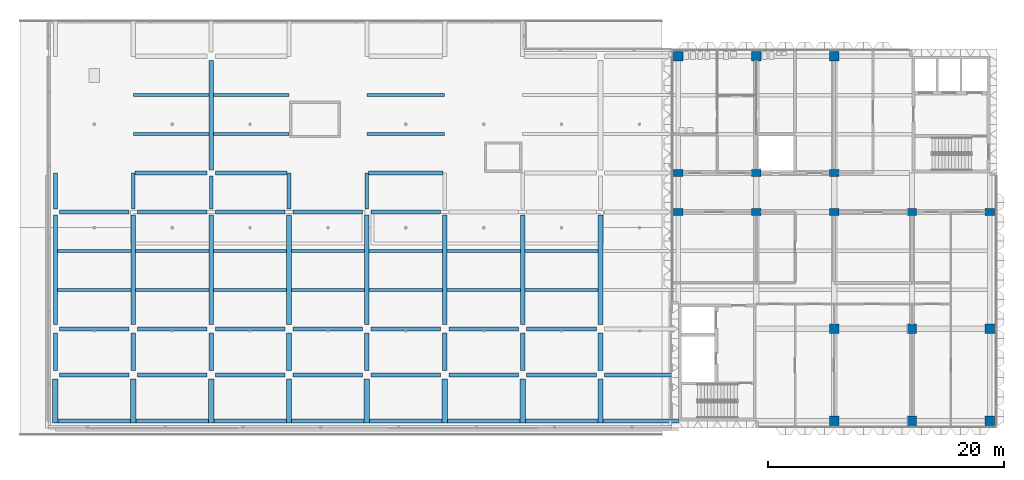
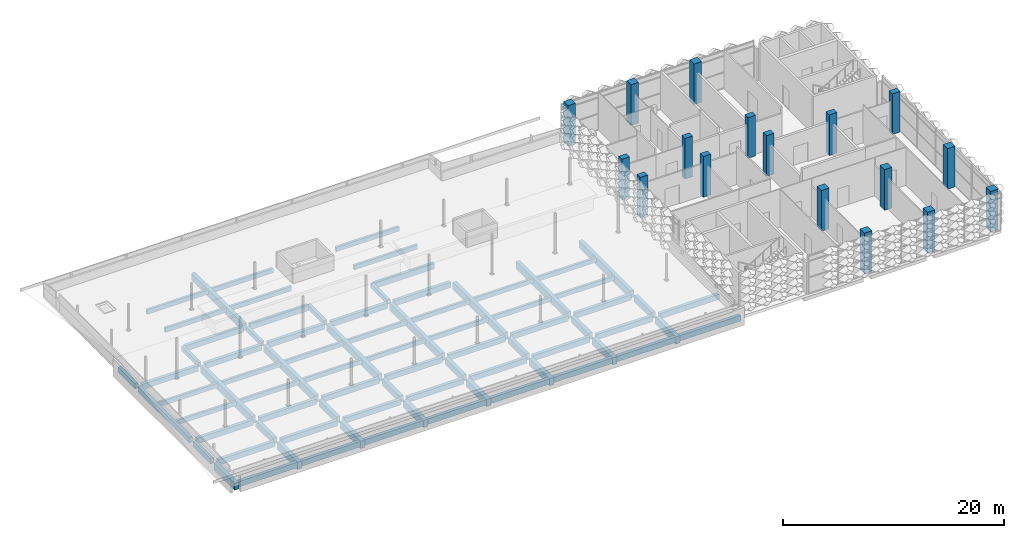
# One storey, part 1 of 39: 81 beams, 17 columns.
"""IFC4 building model written with IfcOpenShell, lengths in metres."""

from ifc_helpers import new_model, si_unit, direction, frame, origin, origin_2d, place, context, subcontext, project, spatial, rectangle, extrude, material, material_profile, profile_set, type_object, element, save


model = new_model("IFC4")

# Units and contexts
model_context = context("Model", 3, precision=1e-05, world=origin(), true_north=direction((0.0, 1.0)))
body_context = subcontext(model_context, "Body", "Model", "MODEL_VIEW")
ifc_project = project(units=[si_unit("LENGTHUNIT", "METRE"), si_unit("AREAUNIT", "SQUARE_METRE"), si_unit("VOLUMEUNIT", "CUBIC_METRE"), si_unit("PLANEANGLEUNIT", "RADIAN"), si_unit("MASSUNIT", "GRAM", prefix="KILO")], contexts=[model_context])

# Site, building, storey
site_placement = place(None, origin())
site = spatial("IfcSite", under=ifc_project, at=site_placement, CompositionType="ELEMENT")
building_placement = place(site_placement, origin())
building = spatial("IfcBuilding", under=site, at=building_placement, Name="Lantern Court Research Institute", CompositionType="ELEMENT")
storey_placement = place(building_placement, frame((0.0, 0.0, 27.89990234375)))
storey = spatial("IfcBuildingStorey", under=building, at=storey_placement, Name="L06", CompositionType="ELEMENT", Elevation=27.89990234375)

# Columns
ifc_material_1 = material(Name="Concrete C40/50", Category="concrete")
ifc_material_profile_1 = material_profile(ifc_material_1, rectangle(XDim=0.800048828125, YDim=0.60009765625, at=origin_2d()), Name="RC column 800 x 600")
ifc_profile_set_1 = profile_set([ifc_material_profile_1], Name="Concrete C40/50")
column_type_1 = type_object("IfcColumnType", Name="RC column 800 x 600", PredefinedType="COLUMN", material=ifc_profile_set_1)
for number, where, z_axis, x_axis, name in (
    (1, (52.800048828125, 9.89990234375, 0.0), (0.0, 0.0, 1.0), (1.0, 0.0, 0.0), "Column L06 grid 9/B"),
    (2, (52.800048828125, 13.199951171875, 0.0), (0.0, 0.0, 1.0), (1.0, 0.0, 0.0), "Column L06 grid 9/C"),
    (3, (59.39990234375, 9.89990234375, 0.0), (0.0, 0.0, 1.0), (1.0, 0.0, 0.0), "Column L06 grid 10/B"),
    (4, (59.39990234375, 13.199951171875, 0.0), (0.0, 0.0, 1.0), (1.0, 0.0, 0.0), "Column L06 grid 10/C"),
    (5, (66.0, 9.89990234375, 0.0), (0.0, 0.0, 1.0), (1.0, 0.0, 0.0), "Column L06 grid 11/B"),
    (6, (66.0, 13.199951171875, 0.0), (0.0, 0.0, 1.0), (1.0, 0.0, 0.0), "Column L06 grid 11/C"),
    (7, (72.60009765625, 9.89990234375, 0.0), (0.0, 0.0, 1.0), (1.0, 0.0, 0.0), "Column L06 grid 12/B"),
    (8, (79.199951171875, 9.89990234375, 0.0), (0.0, 0.0, 1.0), (1.0, 0.0, 0.0), "Column L06 grid 13/B"),
):
    element("IfcColumn", number, at=place(storey_placement, frame(where, z_axis=z_axis, x_axis=x_axis)), inside=storey, type_object=column_type_1, Name=name, PredefinedType="COLUMN", context=body_context, shape_type="SweptSolid", body=[
        extrude(rectangle(XDim=0.800048828125, YDim=0.60009765625, at=origin_2d()), origin(), (0.0, 0.0, 1.0), 4.5),
    ])
ifc_material_2 = material(Name="Concrete C40/50", Category="concrete")
ifc_material_profile_2 = material_profile(ifc_material_2, rectangle(XDim=0.800048828125, YDim=0.800048828125, at=origin_2d()), Name="RC column 800 x 800")
ifc_profile_set_2 = profile_set([ifc_material_profile_2], Name="Concrete C40/50")
column_type_2 = type_object("IfcColumnType", Name="RC column 800 x 800", PredefinedType="COLUMN", material=ifc_profile_set_2)
for number, where, z_axis, x_axis, name in (
    (9, (52.800048828125, 23.10009765625, 0.0), (0.0, 0.0, 1.0), (1.0, 0.0, 0.0), "Column L06 grid 9/D"),
    (10, (59.39990234375, 23.10009765625, 0.0), (0.0, 0.0, 1.0), (1.0, 0.0, 0.0), "Column L06 grid 10/D"),
    (11, (66.0, -7.800048828125, 0.0), (0.0, 0.0, 1.0), (1.0, 0.0, 0.0), "Column L06 grid 11/Z"),
    (12, (66.0, 0.0, 0.0), (0.0, 0.0, 1.0), (1.0, 0.0, 0.0), "Column L06 grid 11/A"),
    (13, (66.0, 23.10009765625, 0.0), (0.0, 0.0, 1.0), (1.0, 0.0, 0.0), "Column L06 grid 11/D"),
    (14, (72.60009765625, -7.800048828125, 0.0), (0.0, 0.0, 1.0), (1.0, 0.0, 0.0), "Column L06 grid 12/Z"),
    (15, (72.60009765625, 0.0, 0.0), (0.0, 0.0, 1.0), (1.0, 0.0, 0.0), "Column L06 grid 12/A"),
    (16, (79.199951171875, -7.800048828125, 0.0), (0.0, 0.0, 1.0), (1.0, 0.0, 0.0), "Column L06 grid 13/Z"),
    (17, (79.199951171875, 0.0, 0.0), (0.0, 0.0, 1.0), (1.0, 0.0, 0.0), "Column L06 grid 13/A"),
):
    element("IfcColumn", number, at=place(storey_placement, frame(where, z_axis=z_axis, x_axis=x_axis)), inside=storey, type_object=column_type_2, Name=name, PredefinedType="COLUMN", context=body_context, shape_type="SweptSolid", body=[
        extrude(rectangle(XDim=0.800048828125, YDim=0.800048828125, at=origin_2d()), origin(), (0.0, 0.0, 1.0), 4.5),
    ])

# Beams
ifc_material_3 = material(Name="Concrete C40/50", Category="concrete")
ifc_material_profile_3 = material_profile(ifc_material_3, rectangle(XDim=0.35009765625, YDim=0.60009765625, at=origin_2d()), Name="RC beam 350 x 600")
ifc_profile_set_3 = profile_set([ifc_material_profile_3], Name="Concrete C40/50")
beam_type_1 = type_object("IfcBeamType", Name="RC beam 350 x 600", PredefinedType="BEAM", material=ifc_profile_set_3)
beam_1_placement = place(storey_placement, frame((0.35009765625, -3.89990234375, -0.5498046875), z_axis=(1.0, 0.0, 0.0), x_axis=(0.0, 1.0, 0.0)))
element("IfcBeam", 18, at=beam_1_placement, inside=storey, type_object=beam_type_1, Name="Beam L06 grid Y/1-2", PredefinedType="BEAM", context=body_context, shape_type="SweptSolid", body=[
    extrude(rectangle(XDim=0.35009765625, YDim=0.60009765625, at=origin_2d()), origin(), (0.0, 0.0, 1.0), 5.89990234375),
])
beam_2_placement = place(storey_placement, frame((6.949951171875, -3.89990234375, -0.5498046875), z_axis=(1.0, 0.0, 0.0), x_axis=(0.0, 1.0, 0.0)))
element("IfcBeam", 19, at=beam_2_placement, inside=storey, type_object=beam_type_1, Name="Beam L06 grid Y/2-3", PredefinedType="BEAM", context=body_context, shape_type="SweptSolid", body=[
    extrude(rectangle(XDim=0.35009765625, YDim=0.60009765625, at=origin_2d()), origin(), (0.0, 0.0, 1.0), 5.900146484375),
])
beam_3_placement = place(storey_placement, frame((13.550048828125, -3.89990234375, -0.5498046875), z_axis=(1.0, 0.0, 0.0), x_axis=(0.0, 1.0, 0.0)))
element("IfcBeam", 20, at=beam_3_placement, inside=storey, type_object=beam_type_1, Name="Beam L06 grid Y/3-4", PredefinedType="BEAM", context=body_context, shape_type="SweptSolid", body=[
    extrude(rectangle(XDim=0.35009765625, YDim=0.60009765625, at=origin_2d()), origin(), (0.0, 0.0, 1.0), 5.89990234375),
])
beam_4_placement = place(storey_placement, frame((20.14990234375, -3.89990234375, -0.5498046875), z_axis=(1.0, 0.0, 0.0), x_axis=(0.0, 1.0, 0.0)))
element("IfcBeam", 21, at=beam_4_placement, inside=storey, type_object=beam_type_1, Name="Beam L06 grid Y/4-5", PredefinedType="BEAM", context=body_context, shape_type="SweptSolid", body=[
    extrude(rectangle(XDim=0.35009765625, YDim=0.60009765625, at=origin_2d()), origin(), (0.0, 0.0, 1.0), 5.900146484375),
])
for number, where, z_axis, x_axis, name in (
    (22, (26.75, -3.89990234375, -0.5498046875), (1.0, 0.0, 0.0), (0.0, 1.0, 0.0), "Beam L06 grid Y/5-6"),
    (23, (33.35009765625, -3.89990234375, -0.5498046875), (1.0, 0.0, 0.0), (0.0, 1.0, 0.0), "Beam L06 grid Y/6-7"),
):
    element("IfcBeam", number, at=place(storey_placement, frame(where, z_axis=z_axis, x_axis=x_axis)), inside=storey, type_object=beam_type_1, Name=name, PredefinedType="BEAM", context=body_context, shape_type="SweptSolid", body=[
        extrude(rectangle(XDim=0.35009765625, YDim=0.60009765625, at=origin_2d()), origin(), (0.0, 0.0, 1.0), 5.89990234375),
    ])
beam_5_placement = place(storey_placement, frame((39.949951171875, -3.89990234375, -0.5498046875), z_axis=(1.0, 0.0, 0.0), x_axis=(0.0, 1.0, 0.0)))
element("IfcBeam", 24, at=beam_5_placement, inside=storey, type_object=beam_type_1, Name="Beam L06 grid Y/7-8", PredefinedType="BEAM", context=body_context, shape_type="SweptSolid", body=[
    extrude(rectangle(XDim=0.35009765625, YDim=0.60009765625, at=origin_2d()), origin(), (0.0, 0.0, 1.0), 5.900146484375),
])
beam_6_placement = place(storey_placement, frame((46.550048828125, -3.89990234375, -0.5498046875), z_axis=(1.0, 0.0, 0.0), x_axis=(0.0, 1.0, 0.0)))
element("IfcBeam", 25, at=beam_6_placement, inside=storey, type_object=beam_type_1, Name="Beam L06 grid Y/8-9", PredefinedType="BEAM", context=body_context, shape_type="SweptSolid", body=[
    extrude(rectangle(XDim=0.35009765625, YDim=0.60009765625, at=origin_2d()), origin(), (0.0, 0.0, 1.0), 6.25),
])
beam_7_placement = place(storey_placement, frame((0.35009765625, 0.0, -0.5498046875), z_axis=(1.0, 0.0, 0.0), x_axis=(0.0, 1.0, 0.0)))
element("IfcBeam", 26, at=beam_7_placement, inside=storey, type_object=beam_type_1, Name="Beam L06 grid A/1-2", PredefinedType="BEAM", context=body_context, shape_type="SweptSolid", body=[
    extrude(rectangle(XDim=0.35009765625, YDim=0.60009765625, at=origin_2d()), origin(), (0.0, 0.0, 1.0), 5.89990234375),
])
beam_8_placement = place(storey_placement, frame((6.949951171875, 0.0, -0.5498046875), z_axis=(1.0, 0.0, 0.0), x_axis=(0.0, 1.0, 0.0)))
element("IfcBeam", 27, at=beam_8_placement, inside=storey, type_object=beam_type_1, Name="Beam L06 grid A/2-3", PredefinedType="BEAM", context=body_context, shape_type="SweptSolid", body=[
    extrude(rectangle(XDim=0.35009765625, YDim=0.60009765625, at=origin_2d()), origin(), (0.0, 0.0, 1.0), 5.900146484375),
])
beam_9_placement = place(storey_placement, frame((13.550048828125, 0.0, -0.5498046875), z_axis=(1.0, 0.0, 0.0), x_axis=(0.0, 1.0, 0.0)))
element("IfcBeam", 28, at=beam_9_placement, inside=storey, type_object=beam_type_1, Name="Beam L06 grid A/3-4", PredefinedType="BEAM", context=body_context, shape_type="SweptSolid", body=[
    extrude(rectangle(XDim=0.35009765625, YDim=0.60009765625, at=origin_2d()), origin(), (0.0, 0.0, 1.0), 5.89990234375),
])
beam_10_placement = place(storey_placement, frame((20.14990234375, 0.0, -0.5498046875), z_axis=(1.0, 0.0, 0.0), x_axis=(0.0, 1.0, 0.0)))
element("IfcBeam", 29, at=beam_10_placement, inside=storey, type_object=beam_type_1, Name="Beam L06 grid A/4-5", PredefinedType="BEAM", context=body_context, shape_type="SweptSolid", body=[
    extrude(rectangle(XDim=0.35009765625, YDim=0.60009765625, at=origin_2d()), origin(), (0.0, 0.0, 1.0), 5.900146484375),
])
for number, where, z_axis, x_axis, name in (
    (30, (26.75, 0.0, -0.5498046875), (1.0, 0.0, 0.0), (0.0, 1.0, 0.0), "Beam L06 grid A/5-6"),
    (31, (33.35009765625, 0.0, -0.5498046875), (1.0, 0.0, 0.0), (0.0, 1.0, 0.0), "Beam L06 grid A/6-7"),
):
    element("IfcBeam", number, at=place(storey_placement, frame(where, z_axis=z_axis, x_axis=x_axis)), inside=storey, type_object=beam_type_1, Name=name, PredefinedType="BEAM", context=body_context, shape_type="SweptSolid", body=[
        extrude(rectangle(XDim=0.35009765625, YDim=0.60009765625, at=origin_2d()), origin(), (0.0, 0.0, 1.0), 5.89990234375),
    ])
beam_11_placement = place(storey_placement, frame((39.949951171875, 0.0, -0.5498046875), z_axis=(1.0, 0.0, 0.0), x_axis=(0.0, 1.0, 0.0)))
element("IfcBeam", 32, at=beam_11_placement, inside=storey, type_object=beam_type_1, Name="Beam L06 grid A/7-8", PredefinedType="BEAM", context=body_context, shape_type="SweptSolid", body=[
    extrude(rectangle(XDim=0.35009765625, YDim=0.60009765625, at=origin_2d()), origin(), (0.0, 0.0, 1.0), 5.900146484375),
])
beam_12_placement = place(storey_placement, frame((0.35009765625, 9.89990234375, -0.5498046875), z_axis=(1.0, 0.0, 0.0), x_axis=(0.0, 1.0, 0.0)))
element("IfcBeam", 33, at=beam_12_placement, inside=storey, type_object=beam_type_1, Name="Beam L06 grid B/1-2", PredefinedType="BEAM", context=body_context, shape_type="SweptSolid", body=[
    extrude(rectangle(XDim=0.35009765625, YDim=0.60009765625, at=origin_2d()), origin(), (0.0, 0.0, 1.0), 5.89990234375),
])
beam_13_placement = place(storey_placement, frame((6.949951171875, 9.89990234375, -0.5498046875), z_axis=(1.0, 0.0, 0.0), x_axis=(0.0, 1.0, 0.0)))
element("IfcBeam", 34, at=beam_13_placement, inside=storey, type_object=beam_type_1, Name="Beam L06 grid B/2-3", PredefinedType="BEAM", context=body_context, shape_type="SweptSolid", body=[
    extrude(rectangle(XDim=0.35009765625, YDim=0.60009765625, at=origin_2d()), origin(), (0.0, 0.0, 1.0), 5.900146484375),
])
beam_14_placement = place(storey_placement, frame((13.550048828125, 9.89990234375, -0.5498046875), z_axis=(1.0, 0.0, 0.0), x_axis=(0.0, 1.0, 0.0)))
element("IfcBeam", 35, at=beam_14_placement, inside=storey, type_object=beam_type_1, Name="Beam L06 grid B/3-4", PredefinedType="BEAM", context=body_context, shape_type="SweptSolid", body=[
    extrude(rectangle(XDim=0.35009765625, YDim=0.60009765625, at=origin_2d()), origin(), (0.0, 0.0, 1.0), 5.89990234375),
])
beam_15_placement = place(storey_placement, frame((20.14990234375, 9.89990234375, -0.5498046875), z_axis=(1.0, 0.0, 0.0), x_axis=(0.0, 1.0, 0.0)))
element("IfcBeam", 36, at=beam_15_placement, inside=storey, type_object=beam_type_1, Name="Beam L06 grid B/4-5", PredefinedType="BEAM", context=body_context, shape_type="SweptSolid", body=[
    extrude(rectangle(XDim=0.35009765625, YDim=0.60009765625, at=origin_2d()), origin(), (0.0, 0.0, 1.0), 5.900146484375),
])
beam_16_placement = place(storey_placement, frame((26.75, 9.89990234375, -0.5498046875), z_axis=(1.0, 0.0, 0.0), x_axis=(0.0, 1.0, 0.0)))
element("IfcBeam", 37, at=beam_16_placement, inside=storey, type_object=beam_type_1, Name="Beam L06 grid B/5-6", PredefinedType="BEAM", context=body_context, shape_type="SweptSolid", body=[
    extrude(rectangle(XDim=0.35009765625, YDim=0.60009765625, at=origin_2d()), origin(), (0.0, 0.0, 1.0), 5.89990234375),
])
beam_17_placement = place(storey_placement, frame((6.75, 13.199951171875, -0.5498046875), z_axis=(1.0, 0.0, 0.0), x_axis=(0.0, 1.0, 0.0)))
element("IfcBeam", 38, at=beam_17_placement, inside=storey, type_object=beam_type_1, Name="Beam L06 grid C/2-3", PredefinedType="BEAM", context=body_context, shape_type="SweptSolid", body=[
    extrude(rectangle(XDim=0.35009765625, YDim=0.60009765625, at=origin_2d()), origin(), (0.0, 0.0, 1.0), 6.10009765625),
])
beam_18_placement = place(storey_placement, frame((13.550048828125, 13.199951171875, -0.5498046875), z_axis=(1.0, 0.0, 0.0), x_axis=(0.0, 1.0, 0.0)))
element("IfcBeam", 39, at=beam_18_placement, inside=storey, type_object=beam_type_1, Name="Beam L06 grid C/3-4", PredefinedType="BEAM", context=body_context, shape_type="SweptSolid", body=[
    extrude(rectangle(XDim=0.35009765625, YDim=0.60009765625, at=origin_2d()), origin(), (0.0, 0.0, 1.0), 6.099853515625),
])
beam_19_placement = place(storey_placement, frame((26.550048828125, 13.199951171875, -0.5498046875), z_axis=(1.0, 0.0, 0.0), x_axis=(0.0, 1.0, 0.0)))
element("IfcBeam", 40, at=beam_19_placement, inside=storey, type_object=beam_type_1, Name="Beam L06 grid C/5-6", PredefinedType="BEAM", context=body_context, shape_type="SweptSolid", body=[
    extrude(rectangle(XDim=0.35009765625, YDim=0.60009765625, at=origin_2d()), origin(), (0.0, 0.0, 1.0), 6.300048828125),
])
ifc_material_4 = material(Name="Concrete C40/50", Category="concrete")
ifc_material_profile_4 = material_profile(ifc_material_4, rectangle(XDim=0.449951171875, YDim=0.800048828125, at=origin_2d()), Name="RC beam 450 x 800")
ifc_profile_set_4 = profile_set([ifc_material_profile_4], Name="Concrete C40/50")
beam_type_2 = type_object("IfcBeamType", Name="RC cantilever beam 450 x 800", PredefinedType="BEAM", material=ifc_profile_set_4)
for number, where, z_axis, x_axis, name in (
    (41, (0.0, -4.25, -0.64990234375), (0.0, -1.0, 0.0), (1.0, 0.0, 0.0), "Cantilever beam L06 grid 1/Y-tip"),
    (42, (6.60009765625, -4.25, -0.64990234375), (0.0, -1.0, 0.0), (1.0, 0.0, 0.0), "Cantilever beam L06 grid 2/Y-tip"),
    (43, (13.199951171875, -4.25, -0.64990234375), (0.0, -1.0, 0.0), (1.0, 0.0, 0.0), "Cantilever beam L06 grid 3/Y-tip"),
    (44, (19.800048828125, -4.25, -0.64990234375), (0.0, -1.0, 0.0), (1.0, 0.0, 0.0), "Cantilever beam L06 grid 4/Y-tip"),
    (45, (26.39990234375, -4.25, -0.64990234375), (0.0, -1.0, 0.0), (1.0, 0.0, 0.0), "Cantilever beam L06 grid 5/Y-tip"),
    (46, (33.0, -4.25, -0.64990234375), (0.0, -1.0, 0.0), (1.0, 0.0, 0.0), "Cantilever beam L06 grid 6/Y-tip"),
    (47, (39.60009765625, -4.25, -0.64990234375), (0.0, -1.0, 0.0), (1.0, 0.0, 0.0), "Cantilever beam L06 grid 7/Y-tip"),
    (48, (46.199951171875, -4.25, -0.64990234375), (0.0, -1.0, 0.0), (1.0, 0.0, 0.0), "Cantilever beam L06 grid 8/Y-tip"),
):
    element("IfcBeam", number, at=place(storey_placement, frame(where, z_axis=z_axis, x_axis=x_axis)), inside=storey, type_object=beam_type_2, Name=name, PredefinedType="BEAM", context=body_context, shape_type="SweptSolid", body=[
        extrude(rectangle(XDim=0.449951171875, YDim=0.800048828125, at=origin_2d()), origin(), (0.0, 0.0, 1.0), 3.72509765625),
    ])
ifc_material_5 = material(Name="Concrete C40/50", Category="concrete")
ifc_material_profile_5 = material_profile(ifc_material_5, rectangle(XDim=0.35009765625, YDim=0.60009765625, at=origin_2d()), Name="RC beam 350 x 600")
ifc_profile_set_5 = profile_set([ifc_material_profile_5], Name="Concrete C40/50")
beam_type_3 = type_object("IfcBeamType", Name="RC edge beam 350 x 600", PredefinedType="BEAM", material=ifc_profile_set_5)
beam_20_placement = place(storey_placement, frame((0.0, -3.550048828125, -0.5498046875), z_axis=(0.0, 1.0, 0.0), x_axis=(-1.0, 0.0, 0.0)))
element("IfcBeam", 49, at=beam_20_placement, inside=storey, type_object=beam_type_3, Name="Edge beam L06 grid 1/Y-A", PredefinedType="BEAM", context=body_context, shape_type="SweptSolid", body=[
    extrude(rectangle(XDim=0.35009765625, YDim=0.60009765625, at=origin_2d()), origin(), (0.0, 0.0, 1.0), 3.199951171875),
])
beam_21_placement = place(storey_placement, frame((0.0, 0.35009765625, -0.5498046875), z_axis=(0.0, 1.0, 0.0), x_axis=(-1.0, 0.0, 0.0)))
element("IfcBeam", 50, at=beam_21_placement, inside=storey, type_object=beam_type_3, Name="Edge beam L06 grid 1/A-B", PredefinedType="BEAM", context=body_context, shape_type="SweptSolid", body=[
    extrude(rectangle(XDim=0.35009765625, YDim=0.60009765625, at=origin_2d()), origin(), (0.0, 0.0, 1.0), 9.2998046875),
])
beam_22_placement = place(storey_placement, frame((0.0, 10.14990234375, -0.5498046875), z_axis=(0.0, 1.0, 0.0), x_axis=(-1.0, 0.0, 0.0)))
element("IfcBeam", 51, at=beam_22_placement, inside=storey, type_object=beam_type_3, Name="Edge beam L06 grid 1/B-C", PredefinedType="BEAM", context=body_context, shape_type="SweptSolid", body=[
    extrude(rectangle(XDim=0.35009765625, YDim=0.60009765625, at=origin_2d()), origin(), (0.0, 0.0, 1.0), 3.050048828125),
])
beam_23_placement = place(storey_placement, frame((0.22509765625, -7.800048828125, -0.5498046875), z_axis=(1.0, 0.0, 0.0), x_axis=(0.0, 1.0, 0.0)))
element("IfcBeam", 52, at=beam_23_placement, inside=storey, type_object=beam_type_3, Name="Edge beam L06 grid tip/1-2", PredefinedType="BEAM", context=body_context, shape_type="SweptSolid", body=[
    extrude(rectangle(XDim=0.35009765625, YDim=0.60009765625, at=origin_2d()), origin(), (0.0, 0.0, 1.0), 6.14990234375),
])
beam_24_placement = place(storey_placement, frame((6.824951171875, -7.800048828125, -0.5498046875), z_axis=(1.0, 0.0, 0.0), x_axis=(0.0, 1.0, 0.0)))
element("IfcBeam", 53, at=beam_24_placement, inside=storey, type_object=beam_type_3, Name="Edge beam L06 grid tip/2-3", PredefinedType="BEAM", context=body_context, shape_type="SweptSolid", body=[
    extrude(rectangle(XDim=0.35009765625, YDim=0.60009765625, at=origin_2d()), origin(), (0.0, 0.0, 1.0), 6.150146484375),
])
beam_25_placement = place(storey_placement, frame((13.425048828125, -7.800048828125, -0.5498046875), z_axis=(1.0, 0.0, 0.0), x_axis=(0.0, 1.0, 0.0)))
element("IfcBeam", 54, at=beam_25_placement, inside=storey, type_object=beam_type_3, Name="Edge beam L06 grid tip/3-4", PredefinedType="BEAM", context=body_context, shape_type="SweptSolid", body=[
    extrude(rectangle(XDim=0.35009765625, YDim=0.60009765625, at=origin_2d()), origin(), (0.0, 0.0, 1.0), 6.14990234375),
])
beam_26_placement = place(storey_placement, frame((20.02490234375, -7.800048828125, -0.5498046875), z_axis=(1.0, 0.0, 0.0), x_axis=(0.0, 1.0, 0.0)))
element("IfcBeam", 55, at=beam_26_placement, inside=storey, type_object=beam_type_3, Name="Edge beam L06 grid tip/4-5", PredefinedType="BEAM", context=body_context, shape_type="SweptSolid", body=[
    extrude(rectangle(XDim=0.35009765625, YDim=0.60009765625, at=origin_2d()), origin(), (0.0, 0.0, 1.0), 6.150146484375),
])
for number, where, z_axis, x_axis, name in (
    (56, (26.625, -7.800048828125, -0.5498046875), (1.0, 0.0, 0.0), (0.0, 1.0, 0.0), "Edge beam L06 grid tip/5-6"),
    (57, (33.22509765625, -7.800048828125, -0.5498046875), (1.0, 0.0, 0.0), (0.0, 1.0, 0.0), "Edge beam L06 grid tip/6-7"),
):
    element("IfcBeam", number, at=place(storey_placement, frame(where, z_axis=z_axis, x_axis=x_axis)), inside=storey, type_object=beam_type_3, Name=name, PredefinedType="BEAM", context=body_context, shape_type="SweptSolid", body=[
        extrude(rectangle(XDim=0.35009765625, YDim=0.60009765625, at=origin_2d()), origin(), (0.0, 0.0, 1.0), 6.14990234375),
    ])
beam_27_placement = place(storey_placement, frame((39.824951171875, -7.800048828125, -0.5498046875), z_axis=(1.0, 0.0, 0.0), x_axis=(0.0, 1.0, 0.0)))
element("IfcBeam", 58, at=beam_27_placement, inside=storey, type_object=beam_type_3, Name="Edge beam L06 grid tip/7-8", PredefinedType="BEAM", context=body_context, shape_type="SweptSolid", body=[
    extrude(rectangle(XDim=0.35009765625, YDim=0.60009765625, at=origin_2d()), origin(), (0.0, 0.0, 1.0), 6.150146484375),
])
beam_28_placement = place(storey_placement, frame((46.425048828125, -7.800048828125, -0.5498046875), z_axis=(1.0, 0.0, 0.0), x_axis=(0.0, 1.0, 0.0)))
element("IfcBeam", 59, at=beam_28_placement, inside=storey, type_object=beam_type_3, Name="Edge beam L06 grid tip/8-9", PredefinedType="BEAM", context=body_context, shape_type="SweptSolid", body=[
    extrude(rectangle(XDim=0.35009765625, YDim=0.60009765625, at=origin_2d()), origin(), (0.0, 0.0, 1.0), 6.375),
])
ifc_material_6 = material(Name="Concrete C40/50", Category="concrete")
ifc_material_profile_6 = material_profile(ifc_material_6, rectangle(XDim=0.39990234375, YDim=0.699951171875, at=origin_2d()), Name="RC beam 400 x 700")
ifc_profile_set_6 = profile_set([ifc_material_profile_6], Name="Concrete C40/50")
beam_type_4 = type_object("IfcBeamType", Name="RC girder 400 x 700", PredefinedType="BEAM", material=ifc_profile_set_6)
for number, where, z_axis, x_axis, name in (
    (60, (6.60009765625, -3.550048828125, -0.599853515625), (0.0, 1.0, 0.0), (-1.0, 0.0, 0.0), "Girder L06 grid 2/Y-A"),
    (61, (13.199951171875, -3.550048828125, -0.599853515625), (0.0, 1.0, 0.0), (-1.0, 0.0, 0.0), "Girder L06 grid 3/Y-A"),
    (62, (19.800048828125, -3.550048828125, -0.599853515625), (0.0, 1.0, 0.0), (-1.0, 0.0, 0.0), "Girder L06 grid 4/Y-A"),
    (63, (26.39990234375, -3.550048828125, -0.599853515625), (0.0, 1.0, 0.0), (-1.0, 0.0, 0.0), "Girder L06 grid 5/Y-A"),
    (64, (33.0, -3.550048828125, -0.599853515625), (0.0, 1.0, 0.0), (-1.0, 0.0, 0.0), "Girder L06 grid 6/Y-A"),
    (65, (39.60009765625, -3.550048828125, -0.599853515625), (0.0, 1.0, 0.0), (-1.0, 0.0, 0.0), "Girder L06 grid 7/Y-A"),
    (66, (46.199951171875, -3.550048828125, -0.599853515625), (0.0, 1.0, 0.0), (-1.0, 0.0, 0.0), "Girder L06 grid 8/Y-A"),
):
    element("IfcBeam", number, at=place(storey_placement, frame(where, z_axis=z_axis, x_axis=x_axis)), inside=storey, type_object=beam_type_4, Name=name, PredefinedType="BEAM", context=body_context, shape_type="SweptSolid", body=[
        extrude(rectangle(XDim=0.39990234375, YDim=0.699951171875, at=origin_2d()), origin(), (0.0, 0.0, 1.0), 3.199951171875),
    ])
ifc_material_7 = material(Name="Concrete C40/50", Category="concrete")
ifc_material_profile_7 = material_profile(ifc_material_7, rectangle(XDim=0.39990234375, YDim=0.800048828125, at=origin_2d()), Name="RC beam 400 x 800")
ifc_profile_set_7 = profile_set([ifc_material_profile_7], Name="Concrete C40/50")
beam_type_5 = type_object("IfcBeamType", Name="RC girder 400 x 800", PredefinedType="BEAM", material=ifc_profile_set_7)
for number, where, z_axis, x_axis, name in (
    (67, (6.60009765625, 0.35009765625, -0.64990234375), (0.0, 1.0, 0.0), (-1.0, 0.0, 0.0), "Girder L06 grid 2/A-B"),
    (68, (13.199951171875, 0.35009765625, -0.64990234375), (0.0, 1.0, 0.0), (-1.0, 0.0, 0.0), "Girder L06 grid 3/A-B"),
):
    element("IfcBeam", number, at=place(storey_placement, frame(where, z_axis=z_axis, x_axis=x_axis)), inside=storey, type_object=beam_type_5, Name=name, PredefinedType="BEAM", context=body_context, shape_type="SweptSolid", body=[
        extrude(rectangle(XDim=0.39990234375, YDim=0.800048828125, at=origin_2d()), origin(), (0.0, 0.0, 1.0), 9.2998046875),
    ])
beam_29_placement = place(storey_placement, frame((13.199951171875, 13.449951171875, -0.64990234375), z_axis=(0.0, 1.0, 0.0), x_axis=(-1.0, 0.0, 0.0)))
element("IfcBeam", 69, at=beam_29_placement, inside=storey, type_object=beam_type_5, Name="Girder L06 grid 3/C-D", PredefinedType="BEAM", context=body_context, shape_type="SweptSolid", body=[
    extrude(rectangle(XDim=0.39990234375, YDim=0.800048828125, at=origin_2d()), origin(), (0.0, 0.0, 1.0), 9.300048828125),
])
for number, where, z_axis, x_axis, name in (
    (70, (19.800048828125, 0.35009765625, -0.64990234375), (0.0, 1.0, 0.0), (-1.0, 0.0, 0.0), "Girder L06 grid 4/A-B"),
    (71, (26.39990234375, 0.35009765625, -0.64990234375), (0.0, 1.0, 0.0), (-1.0, 0.0, 0.0), "Girder L06 grid 5/A-B"),
    (72, (33.0, 0.35009765625, -0.64990234375), (0.0, 1.0, 0.0), (-1.0, 0.0, 0.0), "Girder L06 grid 6/A-B"),
    (73, (39.60009765625, 0.35009765625, -0.64990234375), (0.0, 1.0, 0.0), (-1.0, 0.0, 0.0), "Girder L06 grid 7/A-B"),
    (74, (46.199951171875, 0.35009765625, -0.64990234375), (0.0, 1.0, 0.0), (-1.0, 0.0, 0.0), "Girder L06 grid 8/A-B"),
):
    element("IfcBeam", number, at=place(storey_placement, frame(where, z_axis=z_axis, x_axis=x_axis)), inside=storey, type_object=beam_type_5, Name=name, PredefinedType="BEAM", context=body_context, shape_type="SweptSolid", body=[
        extrude(rectangle(XDim=0.39990234375, YDim=0.800048828125, at=origin_2d()), origin(), (0.0, 0.0, 1.0), 9.2998046875),
    ])
ifc_material_8 = material(Name="Concrete C40/50", Category="concrete")
ifc_material_profile_8 = material_profile(ifc_material_8, rectangle(XDim=0.25, YDim=0.5, at=origin_2d()), Name="RC beam 250 x 500")
ifc_profile_set_8 = profile_set([ifc_material_profile_8], Name="Concrete C40/50")
beam_type_6 = type_object("IfcBeamType", Name="RC secondary beam 250 x 500", PredefinedType="BEAM", material=ifc_profile_set_8)
beam_30_placement = place(storey_placement, frame((0.175048828125, 3.300048828125, -0.5), z_axis=(1.0, 0.0, 0.0), x_axis=(0.0, 1.0, 0.0)))
element("IfcBeam", 75, at=beam_30_placement, inside=storey, type_object=beam_type_6, Name="Secondary beam L06 grids 1-2 / A-B, line 1", PredefinedType="BEAM", context=body_context, shape_type="SweptSolid", body=[
    extrude(rectangle(XDim=0.25, YDim=0.5, at=origin_2d()), origin(), (0.0, 0.0, 1.0), 6.224853515625),
])
beam_31_placement = place(storey_placement, frame((6.800048828125, 3.300048828125, -0.5), z_axis=(1.0, 0.0, 0.0), x_axis=(0.0, 1.0, 0.0)))
element("IfcBeam", 76, at=beam_31_placement, inside=storey, type_object=beam_type_6, Name="Secondary beam L06 grids 2-3 / A-B, line 1", PredefinedType="BEAM", context=body_context, shape_type="SweptSolid", body=[
    extrude(rectangle(XDim=0.25, YDim=0.5, at=origin_2d()), origin(), (0.0, 0.0, 1.0), 6.199951171875),
])
beam_32_placement = place(storey_placement, frame((13.39990234375, 3.300048828125, -0.5), z_axis=(1.0, 0.0, 0.0), x_axis=(0.0, 1.0, 0.0)))
element("IfcBeam", 77, at=beam_32_placement, inside=storey, type_object=beam_type_6, Name="Secondary beam L06 grids 3-4 / A-B, line 1", PredefinedType="BEAM", context=body_context, shape_type="SweptSolid", body=[
    extrude(rectangle(XDim=0.25, YDim=0.5, at=origin_2d()), origin(), (0.0, 0.0, 1.0), 6.2001953125),
])
for number, where, z_axis, x_axis, name in (
    (78, (20.0, 3.300048828125, -0.5), (1.0, 0.0, 0.0), (0.0, 1.0, 0.0), "Secondary beam L06 grids 4-5 / A-B, line 1"),
    (79, (26.60009765625, 3.300048828125, -0.5), (1.0, 0.0, 0.0), (0.0, 1.0, 0.0), "Secondary beam L06 grids 5-6 / A-B, line 1"),
    (80, (33.199951171875, 3.300048828125, -0.5), (1.0, 0.0, 0.0), (0.0, 1.0, 0.0), "Secondary beam L06 grids 6-7 / A-B, line 1"),
    (81, (39.800048828125, 3.300048828125, -0.5), (1.0, 0.0, 0.0), (0.0, 1.0, 0.0), "Secondary beam L06 grids 7-8 / A-B, line 1"),
):
    element("IfcBeam", number, at=place(storey_placement, frame(where, z_axis=z_axis, x_axis=x_axis)), inside=storey, type_object=beam_type_6, Name=name, PredefinedType="BEAM", context=body_context, shape_type="SweptSolid", body=[
        extrude(rectangle(XDim=0.25, YDim=0.5, at=origin_2d()), origin(), (0.0, 0.0, 1.0), 6.199951171875),
    ])
beam_33_placement = place(storey_placement, frame((0.175048828125, 6.60009765625, -0.5), z_axis=(1.0, 0.0, 0.0), x_axis=(0.0, 1.0, 0.0)))
element("IfcBeam", 82, at=beam_33_placement, inside=storey, type_object=beam_type_6, Name="Secondary beam L06 grids 1-2 / A-B, line 2", PredefinedType="BEAM", context=body_context, shape_type="SweptSolid", body=[
    extrude(rectangle(XDim=0.25, YDim=0.5, at=origin_2d()), origin(), (0.0, 0.0, 1.0), 6.224853515625),
])
beam_34_placement = place(storey_placement, frame((6.800048828125, 6.60009765625, -0.5), z_axis=(1.0, 0.0, 0.0), x_axis=(0.0, 1.0, 0.0)))
element("IfcBeam", 83, at=beam_34_placement, inside=storey, type_object=beam_type_6, Name="Secondary beam L06 grids 2-3 / A-B, line 2", PredefinedType="BEAM", context=body_context, shape_type="SweptSolid", body=[
    extrude(rectangle(XDim=0.25, YDim=0.5, at=origin_2d()), origin(), (0.0, 0.0, 1.0), 6.199951171875),
])
beam_35_placement = place(storey_placement, frame((13.39990234375, 6.60009765625, -0.5), z_axis=(1.0, 0.0, 0.0), x_axis=(0.0, 1.0, 0.0)))
element("IfcBeam", 84, at=beam_35_placement, inside=storey, type_object=beam_type_6, Name="Secondary beam L06 grids 3-4 / A-B, line 2", PredefinedType="BEAM", context=body_context, shape_type="SweptSolid", body=[
    extrude(rectangle(XDim=0.25, YDim=0.5, at=origin_2d()), origin(), (0.0, 0.0, 1.0), 6.2001953125),
])
for number, where, z_axis, x_axis, name in (
    (85, (20.0, 6.60009765625, -0.5), (1.0, 0.0, 0.0), (0.0, 1.0, 0.0), "Secondary beam L06 grids 4-5 / A-B, line 2"),
    (86, (26.60009765625, 6.60009765625, -0.5), (1.0, 0.0, 0.0), (0.0, 1.0, 0.0), "Secondary beam L06 grids 5-6 / A-B, line 2"),
    (87, (33.199951171875, 6.60009765625, -0.5), (1.0, 0.0, 0.0), (0.0, 1.0, 0.0), "Secondary beam L06 grids 6-7 / A-B, line 2"),
    (88, (39.800048828125, 6.60009765625, -0.5), (1.0, 0.0, 0.0), (0.0, 1.0, 0.0), "Secondary beam L06 grids 7-8 / A-B, line 2"),
):
    element("IfcBeam", number, at=place(storey_placement, frame(where, z_axis=z_axis, x_axis=x_axis)), inside=storey, type_object=beam_type_6, Name=name, PredefinedType="BEAM", context=body_context, shape_type="SweptSolid", body=[
        extrude(rectangle(XDim=0.25, YDim=0.5, at=origin_2d()), origin(), (0.0, 0.0, 1.0), 6.199951171875),
    ])
beam_36_placement = place(storey_placement, frame((6.60009765625, 16.5, -0.5), z_axis=(1.0, 0.0, 0.0), x_axis=(0.0, 1.0, 0.0)))
element("IfcBeam", 89, at=beam_36_placement, inside=storey, type_object=beam_type_6, Name="Secondary beam L06 grids 2-3 / C-D, line 1", PredefinedType="BEAM", context=body_context, shape_type="SweptSolid", body=[
    extrude(rectangle(XDim=0.25, YDim=0.5, at=origin_2d()), origin(), (0.0, 0.0, 1.0), 6.39990234375),
])
beam_37_placement = place(storey_placement, frame((13.39990234375, 16.5, -0.5), z_axis=(1.0, 0.0, 0.0), x_axis=(0.0, 1.0, 0.0)))
element("IfcBeam", 90, at=beam_37_placement, inside=storey, type_object=beam_type_6, Name="Secondary beam L06 grids 3-4 / C-D, line 1", PredefinedType="BEAM", context=body_context, shape_type="SweptSolid", body=[
    extrude(rectangle(XDim=0.25, YDim=0.5, at=origin_2d()), origin(), (0.0, 0.0, 1.0), 6.400146484375),
])
beam_38_placement = place(storey_placement, frame((26.39990234375, 16.5, -0.5), z_axis=(1.0, 0.0, 0.0), x_axis=(0.0, 1.0, 0.0)))
element("IfcBeam", 91, at=beam_38_placement, inside=storey, type_object=beam_type_6, Name="Secondary beam L06 grids 5-6 / C-D, line 1", PredefinedType="BEAM", context=body_context, shape_type="SweptSolid", body=[
    extrude(rectangle(XDim=0.25, YDim=0.5, at=origin_2d()), origin(), (0.0, 0.0, 1.0), 6.60009765625),
])
beam_39_placement = place(storey_placement, frame((6.60009765625, 19.800048828125, -0.5), z_axis=(1.0, 0.0, 0.0), x_axis=(0.0, 1.0, 0.0)))
element("IfcBeam", 92, at=beam_39_placement, inside=storey, type_object=beam_type_6, Name="Secondary beam L06 grids 2-3 / C-D, line 2", PredefinedType="BEAM", context=body_context, shape_type="SweptSolid", body=[
    extrude(rectangle(XDim=0.25, YDim=0.5, at=origin_2d()), origin(), (0.0, 0.0, 1.0), 6.39990234375),
])
beam_40_placement = place(storey_placement, frame((13.39990234375, 19.800048828125, -0.5), z_axis=(1.0, 0.0, 0.0), x_axis=(0.0, 1.0, 0.0)))
element("IfcBeam", 93, at=beam_40_placement, inside=storey, type_object=beam_type_6, Name="Secondary beam L06 grids 3-4 / C-D, line 2", PredefinedType="BEAM", context=body_context, shape_type="SweptSolid", body=[
    extrude(rectangle(XDim=0.25, YDim=0.5, at=origin_2d()), origin(), (0.0, 0.0, 1.0), 6.400146484375),
])
beam_41_placement = place(storey_placement, frame((26.39990234375, 19.800048828125, -0.5), z_axis=(1.0, 0.0, 0.0), x_axis=(0.0, 1.0, 0.0)))
element("IfcBeam", 94, at=beam_41_placement, inside=storey, type_object=beam_type_6, Name="Secondary beam L06 grids 5-6 / C-D, line 2", PredefinedType="BEAM", context=body_context, shape_type="SweptSolid", body=[
    extrude(rectangle(XDim=0.25, YDim=0.5, at=origin_2d()), origin(), (0.0, 0.0, 1.0), 6.60009765625),
])
ifc_material_9 = material(Name="Concrete C40/50", Category="concrete")
ifc_material_profile_9 = material_profile(ifc_material_9, rectangle(XDim=0.300048828125, YDim=0.5, at=origin_2d()), Name="RC beam 300 x 500")
ifc_profile_set_9 = profile_set([ifc_material_profile_9], Name="Concrete C40/50")
beam_type_7 = type_object("IfcBeamType", Name="RC spine beam 300 x 500", PredefinedType="BEAM", material=ifc_profile_set_9)
beam_42_placement = place(storey_placement, frame((6.60009765625, 10.14990234375, -0.5), z_axis=(0.0, 1.0, 0.0), x_axis=(-1.0, 0.0, 0.0)))
element("IfcBeam", 95, at=beam_42_placement, inside=storey, type_object=beam_type_7, Name="Beam L06 grid 2/B-C", PredefinedType="BEAM", context=body_context, shape_type="SweptSolid", body=[
    extrude(rectangle(XDim=0.300048828125, YDim=0.5, at=origin_2d()), origin(), (0.0, 0.0, 1.0), 3.050048828125),
])
beam_43_placement = place(storey_placement, frame((13.199951171875, 10.14990234375, -0.5), z_axis=(0.0, 1.0, 0.0), x_axis=(-1.0, 0.0, 0.0)))
element("IfcBeam", 96, at=beam_43_placement, inside=storey, type_object=beam_type_7, Name="Beam L06 grid 3/B-C", PredefinedType="BEAM", context=body_context, shape_type="SweptSolid", body=[
    extrude(rectangle(XDim=0.300048828125, YDim=0.5, at=origin_2d()), origin(), (0.0, 0.0, 1.0), 2.800048828125),
])
for number, where, z_axis, x_axis, name in (
    (97, (19.800048828125, 10.14990234375, -0.5), (0.0, 1.0, 0.0), (-1.0, 0.0, 0.0), "Beam L06 grid 4/B-C"),
    (98, (26.39990234375, 10.14990234375, -0.5), (0.0, 1.0, 0.0), (-1.0, 0.0, 0.0), "Beam L06 grid 5/B-C"),
):
    element("IfcBeam", number, at=place(storey_placement, frame(where, z_axis=z_axis, x_axis=x_axis)), inside=storey, type_object=beam_type_7, Name=name, PredefinedType="BEAM", context=body_context, shape_type="SweptSolid", body=[
        extrude(rectangle(XDim=0.300048828125, YDim=0.5, at=origin_2d()), origin(), (0.0, 0.0, 1.0), 3.050048828125),
    ])

save(model, "model.ifc")
